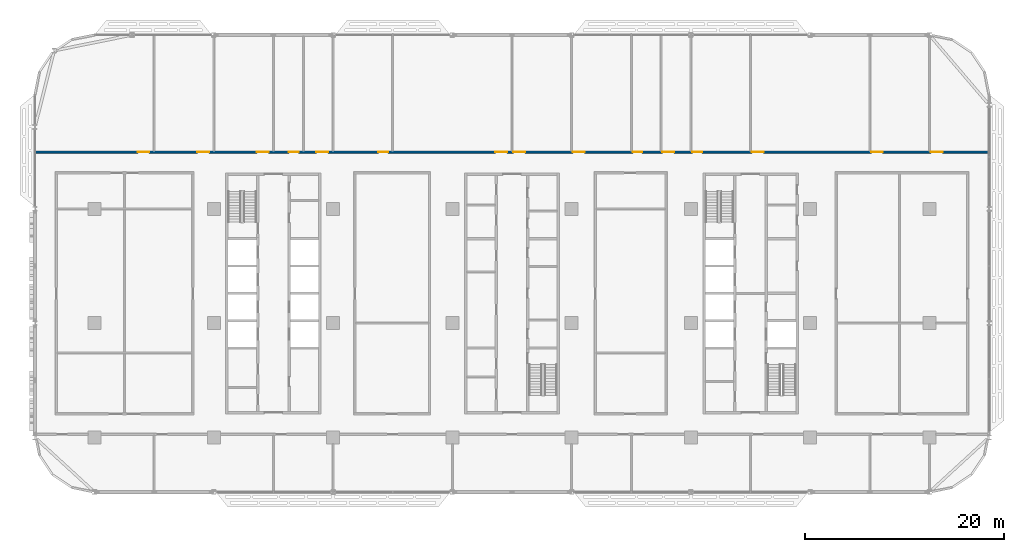
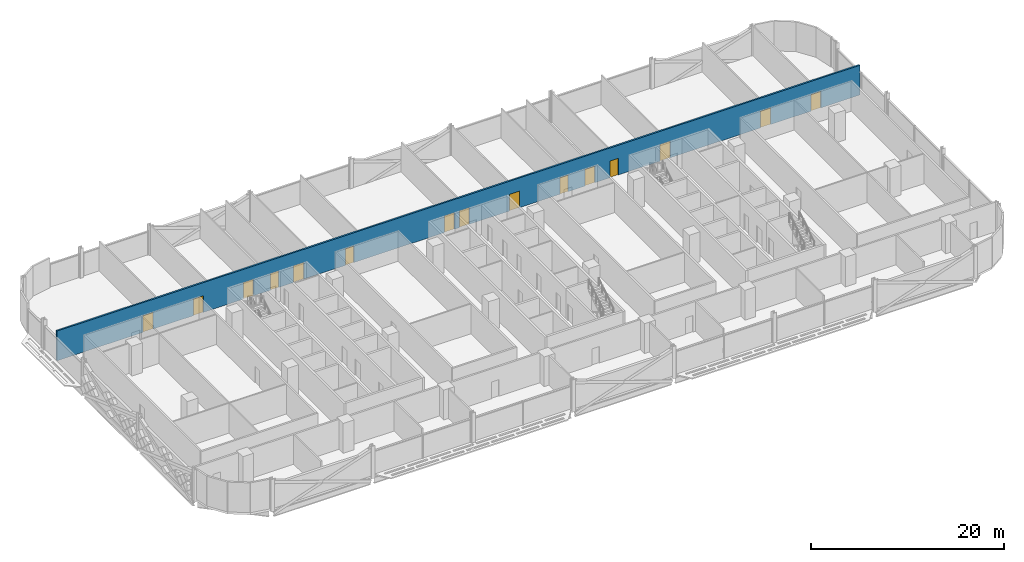
# One storey, part 16 of 28: 15 doors, 1 wall, 15 openings.
"""IFC4 building model written with IfcOpenShell, lengths in metres."""

from ifc_helpers import new_model, si_unit, direction, frame, frame_2d, origin, place, context, subcontext, project, spatial, rectangle, extrude, material, layer, layer_set, type_object, element, fill, save


model = new_model("IFC4")

# Units and contexts
model_context = context("Model", 3, precision=1e-05, world=origin(), true_north=direction((0.0, 1.0)))
body_context = subcontext(model_context, "Body", "Model", "MODEL_VIEW")
ifc_project = project(units=[si_unit("LENGTHUNIT", "METRE"), si_unit("AREAUNIT", "SQUARE_METRE"), si_unit("VOLUMEUNIT", "CUBIC_METRE"), si_unit("PLANEANGLEUNIT", "RADIAN"), si_unit("MASSUNIT", "GRAM", prefix="KILO")], contexts=[model_context])

# Site, building, storey
site_placement = place(None, origin())
site = spatial("IfcSite", under=ifc_project, at=site_placement, CompositionType="ELEMENT")
building_placement = place(site_placement, origin())
building = spatial("IfcBuilding", under=site, at=building_placement, Name="Mahtab Terrace Research Tower", CompositionType="ELEMENT")
storey_placement = place(building_placement, frame((0.0, 0.0, 130.199951171875)))
storey = spatial("IfcBuildingStorey", under=building, at=storey_placement, Name="L30", CompositionType="ELEMENT", Elevation=130.199951171875)

# Wall, openings, doors
ifc_material_1 = material(Name="Gypsum board corridor wall on steel studs", Category="steel")
ifc_layer = layer(ifc_material_1, 0.199951171875)
ifc_layer_set = layer_set([ifc_layer], Name="WALL CORRIDOR 200")
wall_type = type_object("IfcWallType", Name="WALL CORRIDOR 200", PredefinedType="PARTITIONING", material=ifc_layer_set)
wall_placement = place(storey_placement, frame((-47.97509765625, 17.199951171875, 0.0), z_axis=(0.0, 0.0, 1.0), x_axis=(1.0, 0.0, 0.0)))
wall = element("IfcWall", 1, at=wall_placement, inside=storey, type_object=wall_type, Name="L30-W026", PredefinedType="PARTITIONING", context=body_context, shape_type="SweptSolid", body=[
    extrude(rectangle(XDim=95.9501953125, YDim=0.199951171875, at=frame_2d((47.97509765625, 0.0))), origin(), (0.0, 0.0, 1.0), 3.760009765625),
])
opening_1_placement = place(wall_placement, frame((10.300048828125, 0.0, 0.0)))
opening_1 = element("IfcOpeningElement", 2, at=opening_1_placement, cuts=wall, Name="Opening L30-126", PredefinedType="OPENING", context=body_context, shape_type="SweptSolid", body=[
    extrude(rectangle(XDim=1.199951171875, YDim=2.10009765625, at=frame_2d((0.60009765625, 1.050048828125))), frame((0.0, 0.10986328125, 0.0), z_axis=(0.0, -1.0, 0.0), x_axis=(1.0, 0.0, 0.0)), (0.0, 0.0, 1.0), 0.219970703125),
])
opening_2_placement = place(wall_placement, frame((16.300048828125, 0.0, 0.0)))
opening_2 = element("IfcOpeningElement", 3, at=opening_2_placement, cuts=wall, Name="Opening L30-127", PredefinedType="OPENING", context=body_context, shape_type="SweptSolid", body=[
    extrude(rectangle(XDim=1.199951171875, YDim=2.10009765625, at=frame_2d((0.60009765625, 1.050048828125))), frame((0.0, 0.10986328125, 0.0), z_axis=(0.0, -1.0, 0.0), x_axis=(1.0, 0.0, 0.0)), (0.0, 0.0, 1.0), 0.219970703125),
])
opening_3_placement = place(wall_placement, frame((22.300048828125, 0.0, 0.0)))
opening_3 = element("IfcOpeningElement", 4, at=opening_3_placement, cuts=wall, Name="Opening L30-128", PredefinedType="OPENING", context=body_context, shape_type="SweptSolid", body=[
    extrude(rectangle(XDim=1.199951171875, YDim=2.10009765625, at=frame_2d((0.60009765625, 1.050048828125))), frame((0.0, 0.10986328125, 0.0), z_axis=(0.0, -1.0, 0.0), x_axis=(1.0, 0.0, 0.0)), (0.0, 0.0, 1.0), 0.219970703125),
])
opening_4_placement = place(wall_placement, frame((25.5, 0.0, 0.0)))
opening_4 = element("IfcOpeningElement", 5, at=opening_4_placement, cuts=wall, Name="Opening L30-129", PredefinedType="OPENING", context=body_context, shape_type="SweptSolid", body=[
    extrude(rectangle(XDim=1.0, YDim=2.10009765625, at=frame_2d((0.5, 1.050048828125))), frame((0.0, 0.10986328125, 0.0), z_axis=(0.0, -1.0, 0.0), x_axis=(1.0, 0.0, 0.0)), (0.0, 0.0, 1.0), 0.219970703125),
])
opening_5_placement = place(wall_placement, frame((28.300048828125, 0.0, 0.0)))
opening_5 = element("IfcOpeningElement", 6, at=opening_5_placement, cuts=wall, Name="Opening L30-130", PredefinedType="OPENING", context=body_context, shape_type="SweptSolid", body=[
    extrude(rectangle(XDim=1.199951171875, YDim=2.10009765625, at=frame_2d((0.60009765625, 1.050048828125))), frame((0.0, 0.10986328125, 0.0), z_axis=(0.0, -1.0, 0.0), x_axis=(1.0, 0.0, 0.0)), (0.0, 0.0, 1.0), 0.219970703125),
])
opening_6_placement = place(wall_placement, frame((34.5, 0.0, 0.0)))
opening_6 = element("IfcOpeningElement", 7, at=opening_6_placement, cuts=wall, Name="Opening L30-131", PredefinedType="OPENING", context=body_context, shape_type="SweptSolid", body=[
    extrude(rectangle(XDim=1.0, YDim=2.10009765625, at=frame_2d((0.5, 1.050048828125))), frame((0.0, 0.10986328125, 0.0), z_axis=(0.0, -1.0, 0.0), x_axis=(1.0, 0.0, 0.0)), (0.0, 0.0, 1.0), 0.219970703125),
])
opening_7_placement = place(wall_placement, frame((46.300048828125, 0.0, 0.0)))
opening_7 = element("IfcOpeningElement", 8, at=opening_7_placement, cuts=wall, Name="Opening L30-132", PredefinedType="OPENING", context=body_context, shape_type="SweptSolid", body=[
    extrude(rectangle(XDim=1.199951171875, YDim=2.10009765625, at=frame_2d((0.60009765625, 1.050048828125))), frame((0.0, 0.10986328125, 0.0), z_axis=(0.0, -1.0, 0.0), x_axis=(1.0, 0.0, 0.0)), (0.0, 0.0, 1.0), 0.219970703125),
])
opening_8_placement = place(wall_placement, frame((48.10009765625, 0.0, 0.0)))
opening_8 = element("IfcOpeningElement", 9, at=opening_8_placement, cuts=wall, Name="Opening L30-133", PredefinedType="OPENING", context=body_context, shape_type="SweptSolid", body=[
    extrude(rectangle(XDim=1.199951171875, YDim=2.10009765625, at=frame_2d((0.60009765625, 1.050048828125))), frame((0.0, 0.10986328125, 0.0), z_axis=(0.0, -1.0, 0.0), x_axis=(1.0, 0.0, 0.0)), (0.0, 0.0, 1.0), 0.219970703125),
])
opening_9_placement = place(wall_placement, frame((54.10009765625, 0.0, 0.0)))
opening_9 = element("IfcOpeningElement", 10, at=opening_9_placement, cuts=wall, Name="Opening L30-134", PredefinedType="OPENING", context=body_context, shape_type="SweptSolid", body=[
    extrude(rectangle(XDim=1.199951171875, YDim=2.10009765625, at=frame_2d((0.60009765625, 1.050048828125))), frame((0.0, 0.10986328125, 0.0), z_axis=(0.0, -1.0, 0.0), x_axis=(1.0, 0.0, 0.0)), (0.0, 0.0, 1.0), 0.219970703125),
])
opening_10_placement = place(wall_placement, frame((60.10009765625, 0.0, 0.0)))
opening_10 = element("IfcOpeningElement", 11, at=opening_10_placement, cuts=wall, Name="Opening L30-135", PredefinedType="OPENING", context=body_context, shape_type="SweptSolid", body=[
    extrude(rectangle(XDim=1.0, YDim=2.10009765625, at=frame_2d((0.5, 1.050048828125))), frame((0.0, 0.10986328125, 0.0), z_axis=(0.0, -1.0, 0.0), x_axis=(1.0, 0.0, 0.0)), (0.0, 0.0, 1.0), 0.219970703125),
])
opening_11_placement = place(wall_placement, frame((63.10009765625, 0.0, 0.0)))
opening_11 = element("IfcOpeningElement", 12, at=opening_11_placement, cuts=wall, Name="Opening L30-136", PredefinedType="OPENING", context=body_context, shape_type="SweptSolid", body=[
    extrude(rectangle(XDim=1.199951171875, YDim=2.10009765625, at=frame_2d((0.60009765625, 1.050048828125))), frame((0.0, 0.10986328125, 0.0), z_axis=(0.0, -1.0, 0.0), x_axis=(1.0, 0.0, 0.0)), (0.0, 0.0, 1.0), 0.219970703125),
])
opening_12_placement = place(wall_placement, frame((66.10009765625, 0.0, 0.0)))
opening_12 = element("IfcOpeningElement", 13, at=opening_12_placement, cuts=wall, Name="Opening L30-137", PredefinedType="OPENING", context=body_context, shape_type="SweptSolid", body=[
    extrude(rectangle(XDim=1.0, YDim=2.10009765625, at=frame_2d((0.5, 1.050048828125))), frame((0.0, 0.10986328125, 0.0), z_axis=(0.0, -1.0, 0.0), x_axis=(1.0, 0.0, 0.0)), (0.0, 0.0, 1.0), 0.219970703125),
])
opening_13_placement = place(wall_placement, frame((72.10009765625, 0.0, 0.0)))
opening_13 = element("IfcOpeningElement", 14, at=opening_13_placement, cuts=wall, Name="Opening L30-138", PredefinedType="OPENING", context=body_context, shape_type="SweptSolid", body=[
    extrude(rectangle(XDim=1.199951171875, YDim=2.10009765625, at=frame_2d((0.60009765625, 1.050048828125))), frame((0.0, 0.10986328125, 0.0), z_axis=(0.0, -1.0, 0.0), x_axis=(1.0, 0.0, 0.0)), (0.0, 0.0, 1.0), 0.219970703125),
])
opening_14_placement = place(wall_placement, frame((84.10009765625, 0.0, 0.0)))
opening_14 = element("IfcOpeningElement", 15, at=opening_14_placement, cuts=wall, Name="Opening L30-139", PredefinedType="OPENING", context=body_context, shape_type="SweptSolid", body=[
    extrude(rectangle(XDim=1.199951171875, YDim=2.10009765625, at=frame_2d((0.60009765625, 1.050048828125))), frame((0.0, 0.10986328125, 0.0), z_axis=(0.0, -1.0, 0.0), x_axis=(1.0, 0.0, 0.0)), (0.0, 0.0, 1.0), 0.219970703125),
])
opening_15_placement = place(wall_placement, frame((90.10009765625, 0.0, 0.0)))
opening_15 = element("IfcOpeningElement", 16, at=opening_15_placement, cuts=wall, Name="Opening L30-140", PredefinedType="OPENING", context=body_context, shape_type="SweptSolid", body=[
    extrude(rectangle(XDim=1.199951171875, YDim=2.10009765625, at=frame_2d((0.60009765625, 1.050048828125))), frame((0.0, 0.10986328125, 0.0), z_axis=(0.0, -1.0, 0.0), x_axis=(1.0, 0.0, 0.0)), (0.0, 0.0, 1.0), 0.219970703125),
])
ifc_material_2 = material(Name="Timber door leaf in steel frame", Category="steel")
door_type_1 = type_object("IfcDoorType", Name="DOOR 1000X2100 FD30S", OperationType="SINGLE_SWING_LEFT", PredefinedType="DOOR", material=ifc_material_2)
door_1_placement = place(opening_4_placement, origin())
door_1 = element("IfcDoor", 17, at=door_1_placement, inside=storey, type_object=door_type_1, Name="Door L30-129", OperationType="SINGLE_SWING_LEFT", OverallHeight=2.10009765625, OverallWidth=1.0, PredefinedType="DOOR", context=body_context, shape_type="SweptSolid", body=[
    extrude(rectangle(XDim=1.0, YDim=2.10009765625, at=frame_2d((0.5, 1.050048828125))), frame((0.0, 0.02490234375, 0.0), z_axis=(0.0, -1.0, 0.0), x_axis=(1.0, 0.0, 0.0)), (0.0, 0.0, 1.0), 0.050048828125),
])
fill(opening_4, door_1)
door_2_placement = place(opening_6_placement, origin())
door_2 = element("IfcDoor", 18, at=door_2_placement, inside=storey, type_object=door_type_1, Name="Door L30-131", OperationType="SINGLE_SWING_LEFT", OverallHeight=2.10009765625, OverallWidth=1.0, PredefinedType="DOOR", context=body_context, shape_type="SweptSolid", body=[
    extrude(rectangle(XDim=1.0, YDim=2.10009765625, at=frame_2d((0.5, 1.050048828125))), frame((0.0, 0.02490234375, 0.0), z_axis=(0.0, -1.0, 0.0), x_axis=(1.0, 0.0, 0.0)), (0.0, 0.0, 1.0), 0.050048828125),
])
fill(opening_6, door_2)
door_3_placement = place(opening_10_placement, origin())
door_3 = element("IfcDoor", 19, at=door_3_placement, inside=storey, type_object=door_type_1, Name="Door L30-135", OperationType="SINGLE_SWING_RIGHT", OverallHeight=2.10009765625, OverallWidth=1.0, PredefinedType="DOOR", context=body_context, shape_type="SweptSolid", body=[
    extrude(rectangle(XDim=1.0, YDim=2.10009765625, at=frame_2d((0.5, 1.050048828125))), frame((0.0, 0.02490234375, 0.0), z_axis=(0.0, -1.0, 0.0), x_axis=(1.0, 0.0, 0.0)), (0.0, 0.0, 1.0), 0.050048828125),
])
fill(opening_10, door_3)
door_4_placement = place(opening_12_placement, origin())
door_4 = element("IfcDoor", 20, at=door_4_placement, inside=storey, type_object=door_type_1, Name="Door L30-137", OperationType="SINGLE_SWING_RIGHT", OverallHeight=2.10009765625, OverallWidth=1.0, PredefinedType="DOOR", context=body_context, shape_type="SweptSolid", body=[
    extrude(rectangle(XDim=1.0, YDim=2.10009765625, at=frame_2d((0.5, 1.050048828125))), frame((0.0, 0.02490234375, 0.0), z_axis=(0.0, -1.0, 0.0), x_axis=(1.0, 0.0, 0.0)), (0.0, 0.0, 1.0), 0.050048828125),
])
fill(opening_12, door_4)
door_type_2 = type_object("IfcDoorType", Name="DOOR 1200X2100 FD30S", OperationType="SINGLE_SWING_LEFT", PredefinedType="DOOR", material=ifc_material_2)
door_5_placement = place(opening_1_placement, origin())
door_5 = element("IfcDoor", 21, at=door_5_placement, inside=storey, type_object=door_type_2, Name="Door L30-126", OperationType="SINGLE_SWING_LEFT", OverallHeight=2.10009765625, OverallWidth=1.199951171875, PredefinedType="DOOR", context=body_context, shape_type="SweptSolid", body=[
    extrude(rectangle(XDim=1.199951171875, YDim=2.10009765625, at=frame_2d((0.60009765625, 1.050048828125))), frame((0.0, 0.02490234375, 0.0), z_axis=(0.0, -1.0, 0.0), x_axis=(1.0, 0.0, 0.0)), (0.0, 0.0, 1.0), 0.050048828125),
])
fill(opening_1, door_5)
door_6_placement = place(opening_2_placement, origin())
door_6 = element("IfcDoor", 22, at=door_6_placement, inside=storey, type_object=door_type_2, Name="Door L30-127", OperationType="SINGLE_SWING_LEFT", OverallHeight=2.10009765625, OverallWidth=1.199951171875, PredefinedType="DOOR", context=body_context, shape_type="SweptSolid", body=[
    extrude(rectangle(XDim=1.199951171875, YDim=2.10009765625, at=frame_2d((0.60009765625, 1.050048828125))), frame((0.0, 0.02490234375, 0.0), z_axis=(0.0, -1.0, 0.0), x_axis=(1.0, 0.0, 0.0)), (0.0, 0.0, 1.0), 0.050048828125),
])
fill(opening_2, door_6)
door_7_placement = place(opening_3_placement, origin())
door_7 = element("IfcDoor", 23, at=door_7_placement, inside=storey, type_object=door_type_2, Name="Door L30-128", OperationType="SINGLE_SWING_LEFT", OverallHeight=2.10009765625, OverallWidth=1.199951171875, PredefinedType="DOOR", context=body_context, shape_type="SweptSolid", body=[
    extrude(rectangle(XDim=1.199951171875, YDim=2.10009765625, at=frame_2d((0.60009765625, 1.050048828125))), frame((0.0, 0.02490234375, 0.0), z_axis=(0.0, -1.0, 0.0), x_axis=(1.0, 0.0, 0.0)), (0.0, 0.0, 1.0), 0.050048828125),
])
fill(opening_3, door_7)
door_8_placement = place(opening_5_placement, origin())
door_8 = element("IfcDoor", 24, at=door_8_placement, inside=storey, type_object=door_type_2, Name="Door L30-130", OperationType="SINGLE_SWING_LEFT", OverallHeight=2.10009765625, OverallWidth=1.199951171875, PredefinedType="DOOR", context=body_context, shape_type="SweptSolid", body=[
    extrude(rectangle(XDim=1.199951171875, YDim=2.10009765625, at=frame_2d((0.60009765625, 1.050048828125))), frame((0.0, 0.02490234375, 0.0), z_axis=(0.0, -1.0, 0.0), x_axis=(1.0, 0.0, 0.0)), (0.0, 0.0, 1.0), 0.050048828125),
])
fill(opening_5, door_8)
door_9_placement = place(opening_7_placement, origin())
door_9 = element("IfcDoor", 25, at=door_9_placement, inside=storey, type_object=door_type_2, Name="Door L30-132", OperationType="SINGLE_SWING_LEFT", OverallHeight=2.10009765625, OverallWidth=1.199951171875, PredefinedType="DOOR", context=body_context, shape_type="SweptSolid", body=[
    extrude(rectangle(XDim=1.199951171875, YDim=2.10009765625, at=frame_2d((0.60009765625, 1.050048828125))), frame((0.0, 0.02490234375, 0.0), z_axis=(0.0, -1.0, 0.0), x_axis=(1.0, 0.0, 0.0)), (0.0, 0.0, 1.0), 0.050048828125),
])
fill(opening_7, door_9)
door_10_placement = place(opening_8_placement, origin())
door_10 = element("IfcDoor", 26, at=door_10_placement, inside=storey, type_object=door_type_2, Name="Door L30-133", OperationType="SINGLE_SWING_RIGHT", OverallHeight=2.10009765625, OverallWidth=1.199951171875, PredefinedType="DOOR", context=body_context, shape_type="SweptSolid", body=[
    extrude(rectangle(XDim=1.199951171875, YDim=2.10009765625, at=frame_2d((0.60009765625, 1.050048828125))), frame((0.0, 0.02490234375, 0.0), z_axis=(0.0, -1.0, 0.0), x_axis=(1.0, 0.0, 0.0)), (0.0, 0.0, 1.0), 0.050048828125),
])
fill(opening_8, door_10)
door_11_placement = place(opening_9_placement, origin())
door_11 = element("IfcDoor", 27, at=door_11_placement, inside=storey, type_object=door_type_2, Name="Door L30-134", OperationType="SINGLE_SWING_RIGHT", OverallHeight=2.10009765625, OverallWidth=1.199951171875, PredefinedType="DOOR", context=body_context, shape_type="SweptSolid", body=[
    extrude(rectangle(XDim=1.199951171875, YDim=2.10009765625, at=frame_2d((0.60009765625, 1.050048828125))), frame((0.0, 0.02490234375, 0.0), z_axis=(0.0, -1.0, 0.0), x_axis=(1.0, 0.0, 0.0)), (0.0, 0.0, 1.0), 0.050048828125),
])
fill(opening_9, door_11)
door_12_placement = place(opening_11_placement, origin())
door_12 = element("IfcDoor", 28, at=door_12_placement, inside=storey, type_object=door_type_2, Name="Door L30-136", OperationType="SINGLE_SWING_RIGHT", OverallHeight=2.10009765625, OverallWidth=1.199951171875, PredefinedType="DOOR", context=body_context, shape_type="SweptSolid", body=[
    extrude(rectangle(XDim=1.199951171875, YDim=2.10009765625, at=frame_2d((0.60009765625, 1.050048828125))), frame((0.0, 0.02490234375, 0.0), z_axis=(0.0, -1.0, 0.0), x_axis=(1.0, 0.0, 0.0)), (0.0, 0.0, 1.0), 0.050048828125),
])
fill(opening_11, door_12)
door_13_placement = place(opening_13_placement, origin())
door_13 = element("IfcDoor", 29, at=door_13_placement, inside=storey, type_object=door_type_2, Name="Door L30-138", OperationType="SINGLE_SWING_RIGHT", OverallHeight=2.10009765625, OverallWidth=1.199951171875, PredefinedType="DOOR", context=body_context, shape_type="SweptSolid", body=[
    extrude(rectangle(XDim=1.199951171875, YDim=2.10009765625, at=frame_2d((0.60009765625, 1.050048828125))), frame((0.0, 0.02490234375, 0.0), z_axis=(0.0, -1.0, 0.0), x_axis=(1.0, 0.0, 0.0)), (0.0, 0.0, 1.0), 0.050048828125),
])
fill(opening_13, door_13)
door_14_placement = place(opening_14_placement, origin())
door_14 = element("IfcDoor", 30, at=door_14_placement, inside=storey, type_object=door_type_2, Name="Door L30-139", OperationType="SINGLE_SWING_RIGHT", OverallHeight=2.10009765625, OverallWidth=1.199951171875, PredefinedType="DOOR", context=body_context, shape_type="SweptSolid", body=[
    extrude(rectangle(XDim=1.199951171875, YDim=2.10009765625, at=frame_2d((0.60009765625, 1.050048828125))), frame((0.0, 0.02490234375, 0.0), z_axis=(0.0, -1.0, 0.0), x_axis=(1.0, 0.0, 0.0)), (0.0, 0.0, 1.0), 0.050048828125),
])
fill(opening_14, door_14)
door_15_placement = place(opening_15_placement, origin())
door_15 = element("IfcDoor", 31, at=door_15_placement, inside=storey, type_object=door_type_2, Name="Door L30-140", OperationType="SINGLE_SWING_RIGHT", OverallHeight=2.10009765625, OverallWidth=1.199951171875, PredefinedType="DOOR", context=body_context, shape_type="SweptSolid", body=[
    extrude(rectangle(XDim=1.199951171875, YDim=2.10009765625, at=frame_2d((0.60009765625, 1.050048828125))), frame((0.0, 0.02490234375, 0.0), z_axis=(0.0, -1.0, 0.0), x_axis=(1.0, 0.0, 0.0)), (0.0, 0.0, 1.0), 0.050048828125),
])
fill(opening_15, door_15)

save(model, "model.ifc")
